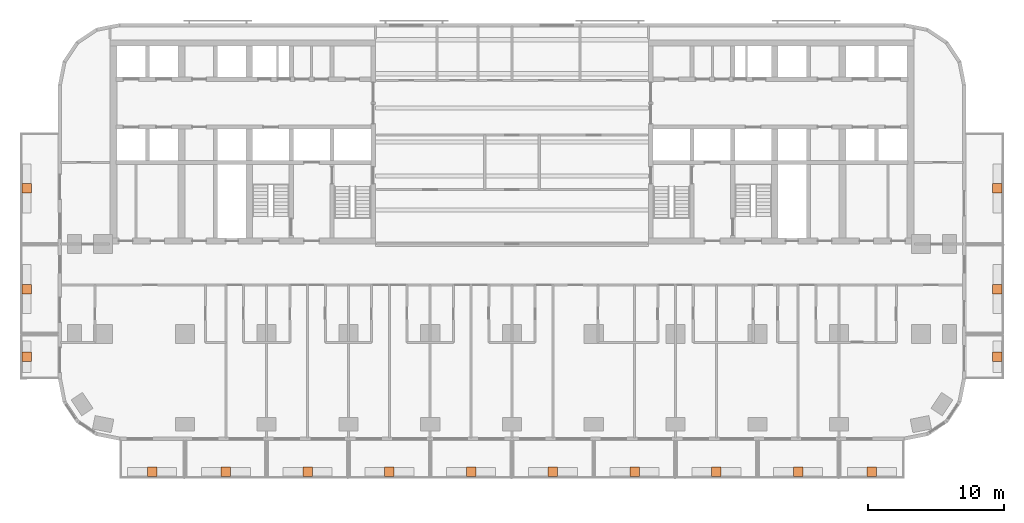
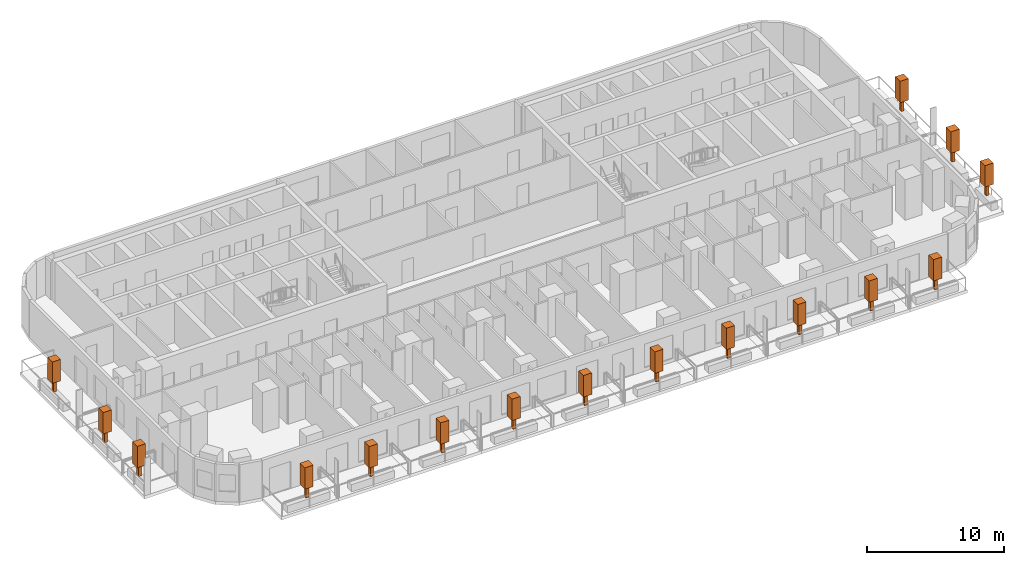
# One storey, part 14 of 14: 16 geographic elements.
"""IFC4 building model written with IfcOpenShell, lengths in metres."""

from ifc_helpers import new_model, si_unit, direction, frame, origin, origin_2d, place, context, subcontext, project, spatial, rectangle, extrude, material, element, save


model = new_model("IFC4")

# Units and contexts
model_context = context("Model", 3, precision=1e-05, world=origin(), true_north=direction((0.0, 1.0)))
body_context = subcontext(model_context, "Body", "Model", "MODEL_VIEW")
ifc_project = project(units=[si_unit("LENGTHUNIT", "METRE"), si_unit("AREAUNIT", "SQUARE_METRE"), si_unit("VOLUMEUNIT", "CUBIC_METRE"), si_unit("PLANEANGLEUNIT", "RADIAN"), si_unit("MASSUNIT", "GRAM", prefix="KILO")], contexts=[model_context])

# Site, building, storey
site_placement = place(None, origin())
site = spatial("IfcSite", under=ifc_project, at=site_placement, CompositionType="ELEMENT")
building_placement = place(site_placement, origin())
building = spatial("IfcBuilding", under=site, at=building_placement, Name="Torana Hotel and Residences", CompositionType="ELEMENT")
storey_placement = place(building_placement, frame((0.0, 0.0, 34.800048828125)))
storey = spatial("IfcBuildingStorey", under=building, at=storey_placement, Name="L07", CompositionType="ELEMENT", Elevation=34.800048828125)

# Geographic elements
ifc_material = material(Name="Foliage", Category="planting")
for number, where, z_axis, x_axis, name in (
    (1, (-26.39990234375, -31.699951171875, 0.64990234375), (0.0, 0.0, 1.0), (1.0, 0.0, 0.0), "Tree 01"),
    (2, (-21.0, -31.699951171875, 0.64990234375), (0.0, 0.0, 1.0), (1.0, 0.0, 0.0), "Tree 02"),
    (3, (-15.0, -31.699951171875, 0.64990234375), (0.0, 0.0, 1.0), (1.0, 0.0, 0.0), "Tree 03"),
    (4, (-9.0, -31.699951171875, 0.64990234375), (0.0, 0.0, 1.0), (1.0, 0.0, 0.0), "Tree 04"),
    (5, (-3.0, -31.699951171875, 0.64990234375), (0.0, 0.0, 1.0), (1.0, 0.0, 0.0), "Tree 05"),
    (6, (3.0, -31.699951171875, 0.64990234375), (0.0, 0.0, 1.0), (1.0, 0.0, 0.0), "Tree 06"),
    (7, (9.0, -31.699951171875, 0.64990234375), (0.0, 0.0, 1.0), (1.0, 0.0, 0.0), "Tree 07"),
    (8, (15.0, -31.699951171875, 0.64990234375), (0.0, 0.0, 1.0), (1.0, 0.0, 0.0), "Tree 08"),
    (9, (21.0, -31.699951171875, 0.64990234375), (0.0, 0.0, 1.0), (1.0, 0.0, 0.0), "Tree 09"),
    (10, (26.39990234375, -31.699951171875, 0.64990234375), (0.0, 0.0, 1.0), (1.0, 0.0, 0.0), "Tree 10"),
    (11, (-35.60009765625, -23.25, 0.64990234375), (0.0, 0.0, 1.0), (1.0, 0.0, 0.0), "Tree 11"),
    (12, (-35.60009765625, -18.300048828125, 0.64990234375), (0.0, 0.0, 1.0), (1.0, 0.0, 0.0), "Tree 12"),
    (13, (-35.60009765625, -10.89990234375, 0.64990234375), (0.0, 0.0, 1.0), (1.0, 0.0, 0.0), "Tree 13"),
    (14, (35.60009765625, -23.25, 0.64990234375), (0.0, 0.0, 1.0), (1.0, 0.0, 0.0), "Tree 14"),
    (15, (35.60009765625, -18.300048828125, 0.64990234375), (0.0, 0.0, 1.0), (1.0, 0.0, 0.0), "Tree 15"),
    (16, (35.60009765625, -10.89990234375, 0.64990234375), (0.0, 0.0, 1.0), (1.0, 0.0, 0.0), "Tree 16"),
):
    element("IfcGeographicElement", number, at=place(storey_placement, frame(where, z_axis=z_axis, x_axis=x_axis)), inside=storey, material=ifc_material, Name=name, ObjectType="TREE", PredefinedType="USERDEFINED", context=body_context, shape_type="SweptSolid", body=[
        extrude(rectangle(XDim=0.25, YDim=0.25, at=origin_2d()), origin(), (0.0, 0.0, 1.0), 1.0),
        extrude(rectangle(XDim=0.699951171875, YDim=0.699951171875, at=origin_2d()), frame((0.0, 0.0, 1.0)), (0.0, 0.0, 1.0), 1.89990234375),
    ])

save(model, "model.ifc")
